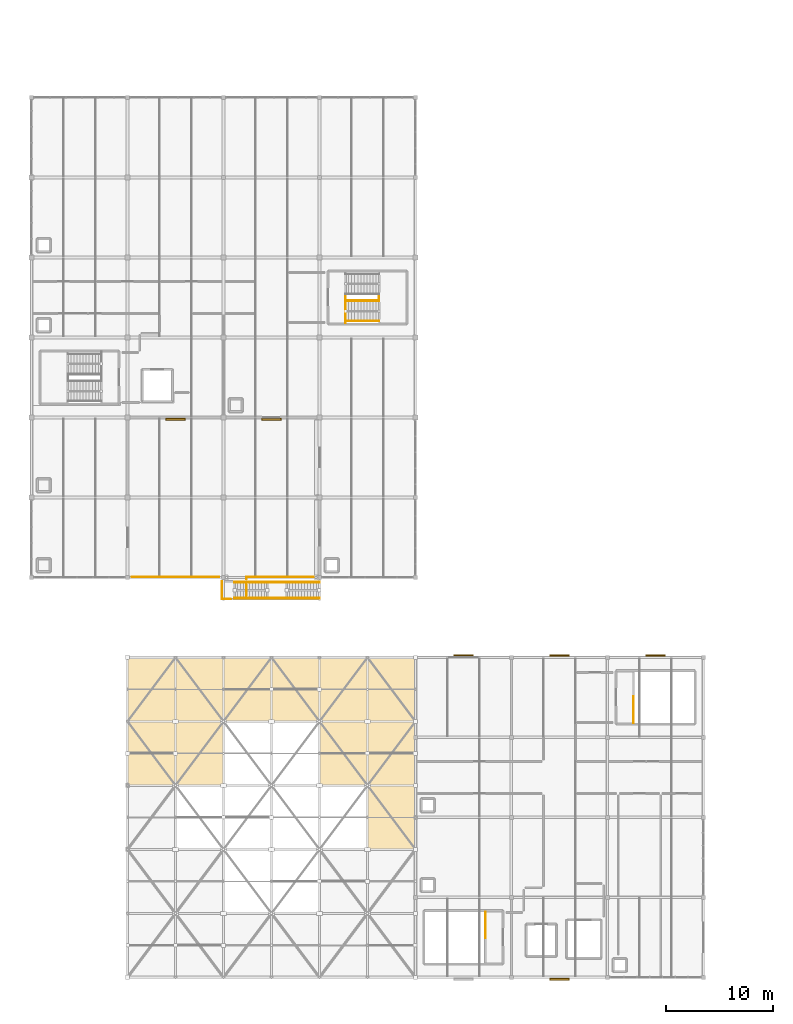
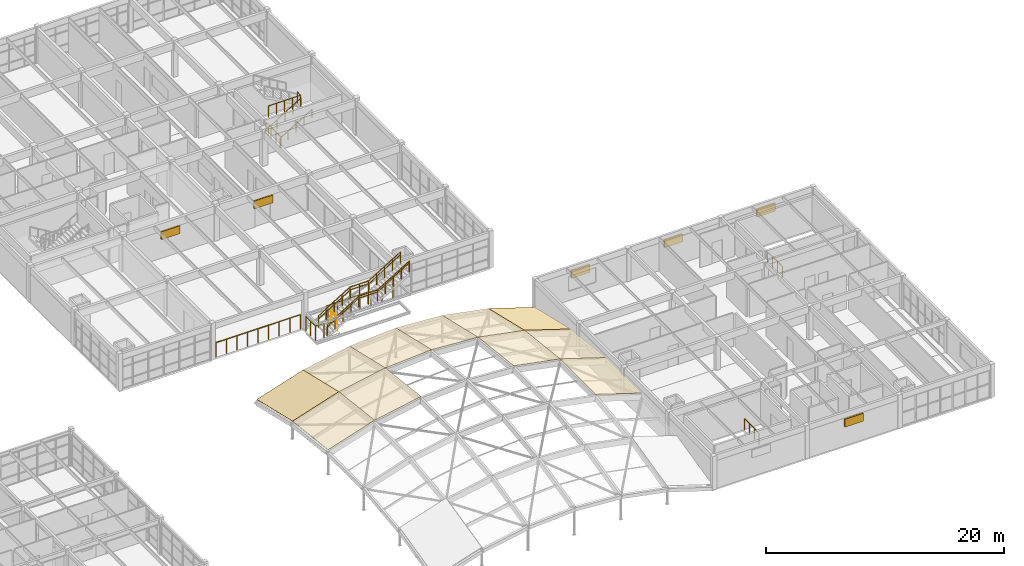
# One storey, part 80 of 81: 14 railings, 11 coverings, 6 shading devices.
"""IFC4 building model written with IfcOpenShell, lengths in metres."""

import ifcopenshell
import ifcopenshell.guid

model = None  # the IFC model being written
_history = None  # IfcOwnerHistory: only IFC2X3 demands one
_inside = {}  # id of a spatial element -> (the spatial element, [elements in it])
_under = {}  # id of a project, library or spatial element -> (it, [spatial elements below it])
_declared = {}  # id of a project -> (the project, [libraries it declares])
_typed = {}  # id of a type object -> (the type object, [elements of that type])
_made_of = {}  # id of a material, layer set ... -> (it, [elements and type objects made of it])


def new_model(schema):
    """Start an empty IFC model of exactly this schema.

    Asked for "IFC4X3", IfcOpenShell would pick the latest addendum, in which some entities
    have other attributes; the version numbers below select the first issue.
    IFC2X3 requires an IfcOwnerHistory on every rooted entity: one is made here for all.
    """
    global model, _history
    if schema == "IFC4X3":
        model = ifcopenshell.file(schema_version=(4, 3, 0, 0))
    else:
        model = ifcopenshell.file(schema=schema)
    _inside.clear()
    _under.clear()
    _declared.clear()
    _typed.clear()
    _made_of.clear()
    _history = None
    if model.schema == "IFC2X3":
        org = make("IfcOrganization", Name="unknown")
        user = make(
            "IfcPersonAndOrganization",
            ThePerson=make("IfcPerson", FamilyName="unknown"),
            TheOrganization=org,
        )
        app = make(
            "IfcApplication",
            ApplicationDeveloper=org,
            Version="unknown",
            ApplicationFullName="unknown",
            ApplicationIdentifier="unknown",
        )
        _history = make(
            "IfcOwnerHistory",
            OwningUser=user,
            OwningApplication=app,
            ChangeAction="ADDED",
            CreationDate=0,
        )
    return model


def make(cls, **values):
    """One entity of the class cls with the attributes given. An attribute that is None is left unset."""
    return model.create_entity(
        cls, **{name: value for name, value in values.items() if value is not None}
    )


def rooted(cls, **values):
    """An entity with a GlobalId (a new one), such as an element, a storey or a relation."""
    return make(cls, GlobalId=ifcopenshell.guid.new(), OwnerHistory=_history, **values)


def si_unit(unit_type, name, prefix=None):
    """IfcSIUnit, for example si_unit("LENGTHUNIT", "METRE", prefix="MILLI")."""
    return make("IfcSIUnit", UnitType=unit_type, Prefix=prefix, Name=name)


def assignment(units):
    """IfcUnitAssignment: the units of a project."""
    return None if units is None else make("IfcUnitAssignment", Units=units)


def point(xyz):
    """IfcCartesianPoint."""
    return None if xyz is None else make("IfcCartesianPoint", Coordinates=xyz)


def direction(xyz):
    """IfcDirection."""
    return None if xyz is None else make("IfcDirection", DirectionRatios=xyz)


def frame(location, z_axis=None, x_axis=None):
    """IfcAxis2Placement3D, a coordinate frame: its origin and axes. An axis left out is left unset."""
    return make(
        "IfcAxis2Placement3D",
        Location=point(location),
        Axis=direction(z_axis),
        RefDirection=direction(x_axis),
    )


def frame_2d(location, x_axis=None):
    """IfcAxis2Placement2D, a coordinate frame in the plane: its origin and x axis."""
    return make(
        "IfcAxis2Placement2D", Location=point(location), RefDirection=direction(x_axis)
    )


def origin():
    """The frame at (0, 0, 0) with its axes left unset."""
    return frame((0.0, 0.0, 0.0))


def origin_2d():
    """The frame at (0, 0) in the plane with its x axis left unset."""
    return frame_2d((0.0, 0.0))


def place(relative_to, where):
    """IfcLocalPlacement: puts the frame where relative to a parent placement (None: the world)."""
    return make(
        "IfcLocalPlacement", PlacementRelTo=relative_to, RelativePlacement=where
    )


def context(
    kind, dimensions, precision=None, world=None, true_north=None, identifier=None
):
    """IfcGeometricRepresentationContext, for example the 3D "Model" context."""
    return make(
        "IfcGeometricRepresentationContext",
        ContextIdentifier=identifier,
        ContextType=kind,
        CoordinateSpaceDimension=dimensions,
        Precision=precision,
        WorldCoordinateSystem=world,
        TrueNorth=true_north,
    )


def subcontext(parent, identifier, kind, view, scale=None):
    """IfcGeometricRepresentationSubContext, for example "Body" below "Model"."""
    return make(
        "IfcGeometricRepresentationSubContext",
        ContextIdentifier=identifier,
        ContextType=kind,
        ParentContext=parent,
        TargetScale=scale,
        TargetView=view,
    )


def project(units=None, contexts=None):
    """IfcProject with its units and contexts."""
    return rooted(
        "IfcProject",
        Name="project",
        RepresentationContexts=contexts,
        UnitsInContext=assignment(units),
    )


def spatial(cls, under=None, at=None, **own):
    """A site, building, storey or space (cls), placed at a placement, below another one or the project."""
    s = rooted(cls, ObjectPlacement=at, **own)
    if under is not None:
        _under.setdefault(under.id(), (under, []))[1].append(s)
    return s


def polyline(points):
    """IfcPolyline through the points."""
    return make("IfcPolyline", Points=[point(p) for p in points])


def profile(cls, at=None, kind="AREA", **sizes):
    """A parametric profile (cls). Its sizes go by their IFC names, for example OverallWidth=200.0."""
    return make(cls, ProfileType=kind, Position=at, **sizes)


def rectangle(**sizes):
    """IfcRectangleProfileDef."""
    return profile("IfcRectangleProfileDef", **sizes)


def circle(**sizes):
    """IfcCircleProfileDef."""
    return profile("IfcCircleProfileDef", **sizes)


def outline(outer, holes=None, kind="AREA"):
    """IfcArbitraryClosedProfileDef: a profile drawn as a closed curve; with holes, ...WithVoids."""
    if holes is None:
        return make("IfcArbitraryClosedProfileDef", ProfileType=kind, OuterCurve=outer)
    return make(
        "IfcArbitraryProfileDefWithVoids",
        ProfileType=kind,
        OuterCurve=outer,
        InnerCurves=holes,
    )


def extrude(swept, where, along, depth):
    """IfcExtrudedAreaSolid: the profile swept, set in the frame where, extruded along a direction by depth."""
    return make(
        "IfcExtrudedAreaSolid",
        SweptArea=swept,
        Position=where,
        ExtrudedDirection=direction(along),
        Depth=depth,
    )


def shape(context_of_items, identifier, shape_type, items):
    """IfcShapeRepresentation: the items that make up one representation, for example the "Body"."""
    return make(
        "IfcShapeRepresentation",
        ContextOfItems=context_of_items,
        RepresentationIdentifier=identifier,
        RepresentationType=shape_type,
        Items=items,
    )


def material(Name=None, Category=None):
    """IfcMaterial."""
    return make("IfcMaterial", Name=Name, Category=Category)


def layer(
    of_material, thickness, ventilated=None, Name=None, Category=None, Priority=None
):
    """IfcMaterialLayer: one layer of a wall or slab, of a material (None: an air gap)."""
    return make(
        "IfcMaterialLayer",
        Material=of_material,
        LayerThickness=thickness,
        IsVentilated=ventilated,
        Name=Name,
        Category=Category,
        Priority=Priority,
    )


def layer_set(layers, Name=None):
    """IfcMaterialLayerSet."""
    return make("IfcMaterialLayerSet", MaterialLayers=layers, LayerSetName=Name)


def made_of(thing, what):
    """Note that an element or type object is made of a material, layer set ...; save() writes the relation."""
    if what is not None:
        _made_of.setdefault(what.id(), (what, []))[1].append(thing)
    return thing


def type_object(cls, material=None, **own):
    """A type object (cls), such as IfcWallType, which elements share."""
    return made_of(rooted(cls, **own), material)


def element(
    cls,
    number,
    at=None,
    inside=None,
    cuts=None,
    type_object=None,
    material=None,
    context=None,
    identifier="Body",
    shape_type=None,
    held_by="IfcProductDefinitionShape",
    body=None,
    shapes=None,
    **own,
):
    """One element of the class cls, such as IfcWall. Its Tag is "e" and its number.

    at: its placement. inside: the storey or other place that contains it. cuts: it is an
    opening in that element (IfcRelVoidsElement). A single representation is given by context,
    identifier, shape_type and body (its items); several are given by shapes. held_by: the class
    of the entity that holds the representations. save() writes the other relations.
    """
    e = rooted(cls, Tag="e%d" % number, ObjectPlacement=at, **own)
    if body is not None:
        shapes = [shape(context, identifier, shape_type, body)]
    if shapes is not None:
        e.Representation = make(held_by, Representations=shapes)
    if inside is not None:
        _inside.setdefault(inside.id(), (inside, []))[1].append(e)
    if cuts is not None:
        rooted(
            "IfcRelVoidsElement", RelatingBuildingElement=cuts, RelatedOpeningElement=e
        )
    if type_object is not None:
        _typed.setdefault(type_object.id(), (type_object, []))[1].append(e)
    return made_of(e, material)


def aggregate(whole, parts):
    """IfcRelAggregates: a whole, such as a stair, and the parts it consists of."""
    return rooted("IfcRelAggregates", RelatingObject=whole, RelatedObjects=parts)


def save(model, path):
    """Write the relations noted so far, then the file.

    IfcRelAggregates (storeys below a building ...), IfcRelContainedInSpatialStructure (elements
    in a storey), IfcRelDefinesByType, IfcRelAssociatesMaterial and IfcRelDeclares: one each for
    every whole, place, type object, material and project.
    """
    for whole, parts in _under.values():
        aggregate(whole, parts)
    for where, things in _inside.values():
        rooted(
            "IfcRelContainedInSpatialStructure",
            RelatedElements=things,
            RelatingStructure=where,
        )
    for kind, things in _typed.values():
        rooted("IfcRelDefinesByType", RelatedObjects=things, RelatingType=kind)
    for what, things in _made_of.values():
        rooted("IfcRelAssociatesMaterial", RelatedObjects=things, RelatingMaterial=what)
    for by, libraries in _declared.values():
        rooted("IfcRelDeclares", RelatingContext=by, RelatedDefinitions=libraries)
    model.write(path)


model = new_model("IFC4")

# Units and contexts
model_context = context("Model", 3, precision=1e-05, world=origin(), true_north=direction((0.0, 1.0)))
body_context = subcontext(model_context, "Body", "Model", "MODEL_VIEW")
ifc_project = project(units=[si_unit("LENGTHUNIT", "METRE"), si_unit("AREAUNIT", "SQUARE_METRE"), si_unit("VOLUMEUNIT", "CUBIC_METRE"), si_unit("PLANEANGLEUNIT", "RADIAN"), si_unit("MASSUNIT", "GRAM", prefix="KILO")], contexts=[model_context])

# Site, building, storey
site_placement = place(None, origin())
site = spatial("IfcSite", under=ifc_project, at=site_placement, CompositionType="ELEMENT")
building_placement = place(site_placement, origin())
building = spatial("IfcBuilding", under=site, at=building_placement, Name="Marnridge Secondary College", CompositionType="ELEMENT")
storey_placement = place(building_placement, frame((0.0, 0.0, 8.5)))
storey = spatial("IfcBuildingStorey", under=building, at=storey_placement, Name="L02", CompositionType="ELEMENT", Elevation=8.5)

# Coverings
ifc_material_1 = material(Name="Pre-weathered standing-seam zinc roofing", Category="steel")
ifc_layer = layer(ifc_material_1, 0.044921875)
ifc_layer_set = layer_set([ifc_layer], Name="CV-ROOF-ZINC")
covering_type = type_object("IfcCoveringType", Name="CV-ROOF-ZINC", PredefinedType="ROOFING", material=ifc_layer_set)
covering_1_placement = place(storey_placement, frame((63.0, 18.0, 2.494384765625), z_axis=(-0.303741720179, 0.111025004243, 0.946263396659), x_axis=(0.952149863264, -2.713515e-06, 0.305631539405)))
element("IfcCovering", 1, at=covering_1_placement, inside=storey, type_object=covering_type, Name="Standing-seam zinc roof panel CVR-V3-0104", PredefinedType="ROOFING", context=body_context, shape_type="SweptSolid", body=[
    extrude(outline(polyline([(0.0, 0.0), (4.726183617758933, 2.7755575615628914e-17), (4.510971692221479, 6.037337395249555), (-0.2151373084624038, 6.037311586748969), (0.0, 0.0)])), origin(), (0.0, 0.0, -1.0), 0.044921875),
])
covering_2_placement = place(storey_placement, frame((63.0, 24.0, 1.79052734375), z_axis=(-0.298253735682, 0.218056452038, 0.929244904681), x_axis=(0.952157472021, 0.0, 0.305607834444)))
element("IfcCovering", 2, at=covering_2_placement, inside=storey, type_object=covering_type, Name="Standing-seam zinc roof panel CVR-V3-0105", PredefinedType="ROOFING", context=body_context, shape_type="SweptSolid", body=[
    extrude(outline(polyline([(0.0, 0.0), (4.726109002165947, 5.551115123125783e-17), (4.295825705964602, 6.147943134633923), (-0.43028329620134503, 6.147943134633923), (0.0, 0.0)])), origin(), (0.0, 0.0, -1.0), 0.044921875),
])
covering_3_placement = place(storey_placement, frame((67.5, 18.0, 3.93896484375), z_axis=(-0.187880742118, 0.11447494231, 0.975497982737), x_axis=(0.981953209644, 0.0, 0.189124017699)))
element("IfcCovering", 3, at=covering_3_placement, inside=storey, type_object=covering_type, Name="Standing-seam zinc roof panel CVR-V3-0204", PredefinedType="ROOFING", context=body_context, shape_type="SweptSolid", body=[
    extrude(outline(polyline([(0.0, 0.0), (4.5827030817828325, 0.0), (4.449540565414436, 6.039704194292084), (-0.13316251636839585, 6.039704194292084), (0.0, 0.0)])), origin(), (0.0, 0.0, -1.0), 0.044921875),
])
covering_4_placement = place(storey_placement, frame((67.5, 24.0, 3.23486328125), z_axis=(-0.1842946687, 0.224540990364, 0.956878685485), x_axis=(0.981953209644, 0.0, 0.189124017699)))
element("IfcCovering", 4, at=covering_4_placement, inside=storey, type_object=covering_type, Name="Standing-seam zinc roof panel CVR-V3-0205", PredefinedType="ROOFING", context=body_context, shape_type="SweptSolid", body=[
    extrude(outline(polyline([(0.0, 0.0), (4.5827030817828325, 2.7755575615628914e-17), (4.316424221901924, 6.157226978962431), (-0.2662788598809081, 6.15722697896243), (0.0, 0.0)])), origin(), (0.0, 0.0, -1.0), 0.044921875),
])
covering_5_placement = place(storey_placement, frame((72.0, 24.0, 4.1015625), z_axis=(-0.062362923311, 0.228009496238, 0.971659680866), x_axis=(0.997946686081, 0.0, 0.064050072137)))
element("IfcCovering", 5, at=covering_5_placement, inside=storey, type_object=covering_type, Name="Standing-seam zinc roof panel CVR-V3-0305", PredefinedType="ROOFING", context=body_context, shape_type="SweptSolid", body=[
    extrude(outline(polyline([(0.0, 0.0), (4.5092589241151435, 1.3877787807814457e-17), (4.419079049599671, 6.16232229698469), (-0.09017987451547263, 6.162322296984689), (0.0, 0.0)])), origin(), (0.0, 0.0, -1.0), 0.044921875),
])
covering_6_placement = place(storey_placement, frame((76.5, 24.0, 4.390380859375), z_axis=(0.062362923311, 0.228009496238, 0.971659680866), x_axis=(0.997946686081, 0.0, -0.064050072137)))
element("IfcCovering", 6, at=covering_6_placement, inside=storey, type_object=covering_type, Name="Standing-seam zinc roof panel CVR-V3-0405", PredefinedType="ROOFING", context=body_context, shape_type="SweptSolid", body=[
    extrude(outline(polyline([(0.0, 0.0), (4.5092589241151435, -1.3877787807814457e-17), (4.599438798630617, 6.162322296984689), (0.09017987451547263, 6.162322296984689), (0.0, 0.0)])), origin(), (0.0, 0.0, -1.0), 0.044921875),
])
covering_7_placement = place(storey_placement, frame((81.0, 18.0, 4.8056640625), z_axis=(0.187880742118, 0.11447494231, 0.975497982737), x_axis=(0.981953209644, 0.0, -0.189124017699)))
element("IfcCovering", 7, at=covering_7_placement, inside=storey, type_object=covering_type, Name="Standing-seam zinc roof panel CVR-V3-0504", PredefinedType="ROOFING", context=body_context, shape_type="SweptSolid", body=[
    extrude(outline(polyline([(0.0, 0.0), (4.5827030817828325, 0.0), (4.715865598151228, 6.039704194292084), (0.13316251636839585, 6.039704194292084), (0.0, 0.0)])), origin(), (0.0, 0.0, -1.0), 0.044921875),
])
covering_8_placement = place(storey_placement, frame((81.0, 24.0, 4.1015625), z_axis=(0.1842946687, 0.224540990364, 0.956878685485), x_axis=(0.981953209644, 0.0, -0.189124017699)))
element("IfcCovering", 8, at=covering_8_placement, inside=storey, type_object=covering_type, Name="Standing-seam zinc roof panel CVR-V3-0505", PredefinedType="ROOFING", context=body_context, shape_type="SweptSolid", body=[
    extrude(outline(polyline([(0.0, 0.0), (4.5827030817828325, -2.7755575615628914e-17), (4.84898194166374, 6.15722697896243), (0.2662788598809081, 6.15722697896243), (0.0, 0.0)])), origin(), (0.0, 0.0, -1.0), 0.044921875),
])
covering_9_placement = place(storey_placement, frame((85.5, 12.0, 3.93896484375), z_axis=(0.30565466654, 0.0, 0.952142439356), x_axis=(0.952142439356, 0.0, -0.30565466654)))
element("IfcCovering", 9, at=covering_9_placement, inside=storey, type_object=covering_type, Name="Standing-seam zinc roof panel CVR-V3-0603", PredefinedType="ROOFING", context=body_context, shape_type="SweptSolid", body=[
    extrude(outline(polyline([(0.0, 0.0), (4.726183619170507, 0.0), (4.726183619170507, 6.0), (0.0, 6.0), (0.0, 0.0)])), origin(), (0.0, 0.0, -1.0), 0.044921875),
])
covering_10_placement = place(storey_placement, frame((85.5, 18.0, 3.93896484375), z_axis=(0.303741720179, 0.111025004243, 0.946263396659), x_axis=(0.952149863264, 2.713515e-06, -0.305631539405)))
element("IfcCovering", 10, at=covering_10_placement, inside=storey, type_object=covering_type, Name="Standing-seam zinc roof panel CVR-V3-0604", PredefinedType="ROOFING", context=body_context, shape_type="SweptSolid", body=[
    extrude(outline(polyline([(0.0, 0.0), (4.726183617758933, -2.7755575615628914e-17), (4.941320926221336, 6.037311586748969), (0.2152119255374539, 6.037337395249555), (0.0, 0.0)])), origin(), (0.0, 0.0, -1.0), 0.044921875),
])
covering_11_placement = place(storey_placement, frame((85.5, 24.0, 3.23486328125), z_axis=(0.298253735682, 0.218056452038, 0.929244904681), x_axis=(0.952157472021, 0.0, -0.305607834444)))
element("IfcCovering", 11, at=covering_11_placement, inside=storey, type_object=covering_type, Name="Standing-seam zinc roof panel CVR-V3-0605", PredefinedType="ROOFING", context=body_context, shape_type="SweptSolid", body=[
    extrude(outline(polyline([(0.0, 0.0), (4.726109002165947, -5.551115123125783e-17), (5.156392298367292, 6.147943134633922), (0.43028329620134503, 6.147943134633923), (0.0, 0.0)])), origin(), (0.0, 0.0, -1.0), 0.044921875),
])

# Railings
ifc_material_2 = material(Name="Galvanised steel Grade C350L0 (350 MPa) balustrade", Category="steel")
railing_type_1 = type_object("IfcRailingType", Name="RL-DECK-1500", PredefinedType="BALUSTRADE", material=ifc_material_2)
railing_1_placement = place(storey_placement, frame((71.584716796875, 37.56005859375, 0.0)))
element("IfcRailing", 12, at=railing_1_placement, inside=storey, type_object=railing_type_1, Name="Play deck balustrade GD-001", PredefinedType="BALUSTRADE", context=body_context, shape_type="SweptSolid", body=[
    extrude(circle(Radius=0.02392578125, at=origin_2d()), frame((0.0, 0.0, 1.47607421875), z_axis=(-1.0, 0.0, 0.0), x_axis=(0.0, -1.0, 0.0)), (0.0, 0.0, 1.0), 8.16943359375),
    extrude(circle(Radius=0.02099609375, at=origin_2d()), origin(), (0.0, 0.0, 1.0), 1.451904296875),
    extrude(circle(Radius=0.02099609375, at=origin_2d()), frame((-1.021240234375, 0.0, 0.0)), (0.0, 0.0, 1.0), 1.451904296875),
    extrude(circle(Radius=0.02099609375, at=origin_2d()), frame((-2.04248046875, 0.0, 0.0)), (0.0, 0.0, 1.0), 1.451904296875),
    extrude(circle(Radius=0.02099609375, at=origin_2d()), frame((-3.0634765625, 0.0, 0.0)), (0.0, 0.0, 1.0), 1.451904296875),
    extrude(circle(Radius=0.02099609375, at=origin_2d()), frame((-4.084716796875, 0.0, 0.0)), (0.0, 0.0, 1.0), 1.451904296875),
    extrude(circle(Radius=0.02099609375, at=origin_2d()), frame((-5.10595703125, 0.0, 0.0)), (0.0, 0.0, 1.0), 1.451904296875),
    extrude(circle(Radius=0.02099609375, at=origin_2d()), frame((-6.126953125, 0.0, 0.0)), (0.0, 0.0, 1.0), 1.451904296875),
    extrude(circle(Radius=0.02099609375, at=origin_2d()), frame((-7.148193359375, 0.0, 0.0)), (0.0, 0.0, 1.0), 1.451904296875),
    extrude(circle(Radius=0.02099609375, at=origin_2d()), frame((-8.16943359375, 0.0, 0.0)), (0.0, 0.0, 1.0), 1.451904296875),
])
railing_2_placement = place(storey_placement, frame((72.68994140625, 35.4599609375, 0.0)))
element("IfcRailing", 13, at=railing_2_placement, inside=storey, type_object=railing_type_1, Name="Play deck balustrade GD-002", PredefinedType="BALUSTRADE", context=body_context, shape_type="SweptSolid", body=[
    extrude(circle(Radius=0.02392578125, at=origin_2d()), frame((0.0, 0.0, 1.47607421875), z_axis=(-1.0, 0.0, 0.0), x_axis=(0.0, -1.0, 0.0)), (0.0, 0.0, 1.0), 0.829833984375),
    extrude(circle(Radius=0.02392578125, at=origin_2d()), frame((-0.829833984375, 0.0, 1.47607421875), z_axis=(0.0, 1.0, 0.0), x_axis=(-1.0, 0.0, 0.0)), (0.0, 0.0, 1.0), 1.64453125),
    extrude(circle(Radius=0.02099609375, at=origin_2d()), origin(), (0.0, 0.0, 1.0), 1.451904296875),
    extrude(circle(Radius=0.02099609375, at=origin_2d()), frame((-0.829833984375, 0.0, 0.0)), (0.0, 0.0, 1.0), 1.451904296875),
    extrude(circle(Radius=0.02099609375, at=origin_2d()), frame((-0.829833984375, 0.822265625, 0.0)), (0.0, 0.0, 1.0), 1.451904296875),
    extrude(circle(Radius=0.02099609375, at=origin_2d()), frame((-0.829833984375, 1.64453125, 0.0)), (0.0, 0.0, 1.0), 1.451904296875),
])
railing_3_placement = place(storey_placement, frame((74.139892578125, 36.780029296875, 0.0)))
element("IfcRailing", 14, at=railing_3_placement, inside=storey, type_object=railing_type_1, Name="Play deck balustrade GD-003", PredefinedType="BALUSTRADE", context=body_context, shape_type="SweptSolid", body=[
    extrude(circle(Radius=0.02392578125, at=origin_2d()), frame((0.0, 0.0, 1.47607421875), z_axis=(0.0, -1.0, 0.0), x_axis=(1.0, 0.0, 0.0)), (0.0, 0.0, 1.0), 0.9599609375),
    extrude(circle(Radius=0.02099609375, at=origin_2d()), origin(), (0.0, 0.0, 1.0), 1.451904296875),
    extrude(circle(Radius=0.02099609375, at=origin_2d()), frame((0.0, -0.9599609375, 0.0)), (0.0, 0.0, 1.0), 1.451904296875),
])
railing_4_placement = place(storey_placement, frame((80.584716796875, 37.56005859375, 0.0)))
element("IfcRailing", 15, at=railing_4_placement, inside=storey, type_object=railing_type_1, Name="Play deck balustrade GD-004", PredefinedType="BALUSTRADE", context=body_context, shape_type="SweptSolid", body=[
    extrude(circle(Radius=0.02392578125, at=origin_2d()), frame((0.0, 0.0, 1.47607421875), z_axis=(-1.0, 0.0, 0.0), x_axis=(0.0, -1.0, 0.0)), (0.0, 0.0, 1.0), 6.44482421875),
    extrude(circle(Radius=0.02392578125, at=origin_2d()), frame((-6.44482421875, 0.0, 1.47607421875), z_axis=(0.0, -1.0, 0.0), x_axis=(1.0, 0.0, 0.0)), (0.0, 0.0, 1.0), 0.219970703125),
    extrude(circle(Radius=0.02099609375, at=origin_2d()), origin(), (0.0, 0.0, 1.0), 1.451904296875),
    extrude(circle(Radius=0.02099609375, at=origin_2d()), frame((-1.07421875, 0.0, 0.0)), (0.0, 0.0, 1.0), 1.451904296875),
    extrude(circle(Radius=0.02099609375, at=origin_2d()), frame((-2.148193359375, 0.0, 0.0)), (0.0, 0.0, 1.0), 1.451904296875),
    extrude(circle(Radius=0.02099609375, at=origin_2d()), frame((-3.222412109375, 0.0, 0.0)), (0.0, 0.0, 1.0), 1.451904296875),
    extrude(circle(Radius=0.02099609375, at=origin_2d()), frame((-4.296630859375, 0.0, 0.0)), (0.0, 0.0, 1.0), 1.451904296875),
    extrude(circle(Radius=0.02099609375, at=origin_2d()), frame((-5.37060546875, 0.0, 0.0)), (0.0, 0.0, 1.0), 1.451904296875),
    extrude(circle(Radius=0.02099609375, at=origin_2d()), frame((-6.44482421875, 0.0, 0.0)), (0.0, 0.0, 1.0), 1.451904296875),
    extrude(circle(Radius=0.02099609375, at=origin_2d()), frame((-6.44482421875, -0.219970703125, 0.0)), (0.0, 0.0, 1.0), 1.451904296875),
])
ifc_material_3 = material(Name="Stainless steel Grade 350 (350 MPa) 48 mm handrail", Category="steel")
railing_type_2 = type_object("IfcRailingType", Name="RL-HND-900", PredefinedType="HANDRAIL", material=ifc_material_3)
for number, where, name in (
    (16, (83.449951171875, 61.530029296875, 0.0), "Stair handrail HR-043"),
    (17, (83.449951171875, 63.409912109375, 0.0), "Stair handrail HR-044"),
):
    element("IfcRailing", number, at=place(storey_placement, frame(where)), inside=storey, type_object=railing_type_2, Name=name, PredefinedType="HANDRAIL", context=body_context, shape_type="SweptSolid", body=[
        extrude(circle(Radius=0.02392578125, at=origin_2d()), frame((0.0, 0.0, 0.8759765625), z_axis=(0.855210355142, 0.0, 0.518281051609), x_axis=(0.0, 1.0, 0.0)), (0.0, 0.0, 1.0), 3.665771484375),
        extrude(circle(Radius=0.02099609375, at=origin_2d()), origin(), (0.0, 0.0, 1.0), 0.851806640625),
        extrude(circle(Radius=0.02099609375, at=origin_2d()), frame((0.78369140625, 0.0, 0.47509765625)), (0.0, 0.0, 1.0), 0.851806640625),
        extrude(circle(Radius=0.02099609375, at=origin_2d()), frame((1.5673828125, 0.0, 0.949951171875)), (0.0, 0.0, 1.0), 0.851806640625),
        extrude(circle(Radius=0.02099609375, at=origin_2d()), frame((2.351318359375, 0.0, 1.4248046875)), (0.0, 0.0, 1.0), 0.851806640625),
        extrude(circle(Radius=0.02099609375, at=origin_2d()), frame((3.135009765625, 0.0, 1.89990234375)), (0.0, 0.0, 1.0), 0.851806640625),
    ])
ifc_material_4 = material(Name="Galvanised steel Grade 350 (350 MPa) 48 mm handrail", Category="steel")
railing_type_3 = type_object("IfcRailingType", Name="RL-HND-EXT900", PredefinedType="HANDRAIL", material=ifc_material_4)
railing_5_placement = place(storey_placement, frame((73.0400390625, 35.590087890625, 0.0)))
element("IfcRailing", 18, at=railing_5_placement, inside=storey, type_object=railing_type_3, Name="Exterior stair handrail HR-183", PredefinedType="HANDRAIL", context=body_context, shape_type="SweptSolid", body=[
    extrude(circle(Radius=0.02392578125, at=origin_2d()), frame((0.0, 0.0, 0.8759765625), z_axis=(0.851106564228, 0.0, 0.524992967884), x_axis=(0.0, 1.0, 0.0)), (0.0, 0.0, 1.0), 3.618896484375),
    extrude(circle(Radius=0.02392578125, at=origin_2d()), frame((3.080078125, 0.0, 2.77587890625), z_axis=(1.0, 0.0, 0.0), x_axis=(0.0, 1.0, 0.0)), (0.0, 0.0, 1.0), 1.7998046875),
    extrude(circle(Radius=0.02392578125, at=origin_2d()), frame((4.8798828125, 0.0, 2.77587890625), z_axis=(0.851076419976, 0.0, 0.525041833915), x_axis=(0.0, 1.0, 0.0)), (0.0, 0.0, 1.0), 3.619140625),
    extrude(circle(Radius=0.02099609375, at=origin_2d()), origin(), (0.0, 0.0, 1.0), 0.851806640625),
    extrude(circle(Radius=0.02099609375, at=origin_2d()), frame((0.77001953125, 0.0, 0.47509765625)), (0.0, 0.0, 1.0), 0.851806640625),
    extrude(circle(Radius=0.02099609375, at=origin_2d()), frame((1.5400390625, 0.0, 0.949951171875)), (0.0, 0.0, 1.0), 0.851806640625),
    extrude(circle(Radius=0.02099609375, at=origin_2d()), frame((2.31005859375, 0.0, 1.4248046875)), (0.0, 0.0, 1.0), 0.851806640625),
    extrude(circle(Radius=0.02099609375, at=origin_2d()), frame((3.080078125, 0.0, 1.89990234375)), (0.0, 0.0, 1.0), 0.851806640625),
    extrude(circle(Radius=0.02099609375, at=origin_2d()), frame((3.97998046875, 0.0, 1.89990234375)), (0.0, 0.0, 1.0), 0.851806640625),
    extrude(circle(Radius=0.02099609375, at=origin_2d()), frame((4.8798828125, 0.0, 1.89990234375)), (0.0, 0.0, 1.0), 0.851806640625),
    extrude(circle(Radius=0.02099609375, at=origin_2d()), frame((5.64990234375, 0.0, 2.375)), (0.0, 0.0, 1.0), 0.851806640625),
    extrude(circle(Radius=0.02099609375, at=origin_2d()), frame((6.419921875, 0.0, 2.85009765625)), (0.0, 0.0, 1.0), 0.851806640625),
    extrude(circle(Radius=0.02099609375, at=origin_2d()), frame((7.18994140625, 0.0, 3.324951171875)), (0.0, 0.0, 1.0), 0.851806640625),
    extrude(circle(Radius=0.02099609375, at=origin_2d()), frame((7.9599609375, 0.0, 3.800048828125)), (0.0, 0.0, 1.0), 0.851806640625),
])
railing_6_placement = place(storey_placement, frame((73.0400390625, 37.010009765625, 0.0)))
element("IfcRailing", 19, at=railing_6_placement, inside=storey, type_object=railing_type_3, Name="Exterior stair handrail HR-184", PredefinedType="HANDRAIL", context=body_context, shape_type="SweptSolid", body=[
    extrude(circle(Radius=0.02392578125, at=origin_2d()), frame((0.0, 0.0, 0.8759765625), z_axis=(0.851106564228, 0.0, 0.524992967884), x_axis=(0.0, 1.0, 0.0)), (0.0, 0.0, 1.0), 3.618896484375),
    extrude(circle(Radius=0.02392578125, at=origin_2d()), frame((3.080078125, 0.0, 2.77587890625), z_axis=(1.0, 0.0, 0.0), x_axis=(0.0, 1.0, 0.0)), (0.0, 0.0, 1.0), 1.7998046875),
    extrude(circle(Radius=0.02392578125, at=origin_2d()), frame((4.8798828125, 0.0, 2.77587890625), z_axis=(0.851076419976, 0.0, 0.525041833915), x_axis=(0.0, 1.0, 0.0)), (0.0, 0.0, 1.0), 3.619140625),
    extrude(circle(Radius=0.02099609375, at=origin_2d()), origin(), (0.0, 0.0, 1.0), 0.851806640625),
    extrude(circle(Radius=0.02099609375, at=origin_2d()), frame((0.77001953125, 0.0, 0.47509765625)), (0.0, 0.0, 1.0), 0.851806640625),
    extrude(circle(Radius=0.02099609375, at=origin_2d()), frame((1.5400390625, 0.0, 0.949951171875)), (0.0, 0.0, 1.0), 0.851806640625),
    extrude(circle(Radius=0.02099609375, at=origin_2d()), frame((2.31005859375, 0.0, 1.4248046875)), (0.0, 0.0, 1.0), 0.851806640625),
    extrude(circle(Radius=0.02099609375, at=origin_2d()), frame((3.080078125, 0.0, 1.89990234375)), (0.0, 0.0, 1.0), 0.851806640625),
    extrude(circle(Radius=0.02099609375, at=origin_2d()), frame((3.97998046875, 0.0, 1.89990234375)), (0.0, 0.0, 1.0), 0.851806640625),
    extrude(circle(Radius=0.02099609375, at=origin_2d()), frame((4.8798828125, 0.0, 1.89990234375)), (0.0, 0.0, 1.0), 0.851806640625),
    extrude(circle(Radius=0.02099609375, at=origin_2d()), frame((5.64990234375, 0.0, 2.375)), (0.0, 0.0, 1.0), 0.851806640625),
    extrude(circle(Radius=0.02099609375, at=origin_2d()), frame((6.419921875, 0.0, 2.85009765625)), (0.0, 0.0, 1.0), 0.851806640625),
    extrude(circle(Radius=0.02099609375, at=origin_2d()), frame((7.18994140625, 0.0, 3.324951171875)), (0.0, 0.0, 1.0), 0.851806640625),
    extrude(circle(Radius=0.02099609375, at=origin_2d()), frame((7.9599609375, 0.0, 3.800048828125)), (0.0, 0.0, 1.0), 0.851806640625),
])
ifc_material_5 = material(Name="Painted steel Grade C350L0 (350 MPa) stair-well guard", Category="steel")
railing_type_4 = type_object("IfcRailingType", Name="RL-STAIR-1150", PredefinedType="BALUSTRADE", material=ifc_material_5)
railing_7_placement = place(storey_placement, frame((83.449951171875, 61.3701171875, 0.0)))
element("IfcRailing", 20, at=railing_7_placement, inside=storey, type_object=railing_type_4, Name="Stair well arrival guard GS-042", PredefinedType="BALUSTRADE", context=body_context, shape_type="SweptSolid", body=[
    extrude(circle(Radius=0.02392578125, at=origin_2d()), frame((0.0, 0.0, 1.1259765625), z_axis=(0.0, 1.0, 0.0), x_axis=(-1.0, 0.0, 0.0)), (0.0, 0.0, 1.0), 2.4599609375),
    extrude(circle(Radius=0.02099609375, at=origin_2d()), origin(), (0.0, 0.0, 1.0), 1.101806640625),
    extrude(circle(Radius=0.02099609375, at=origin_2d()), frame((0.0, 0.820068359375, 0.0)), (0.0, 0.0, 1.0), 1.101806640625),
    extrude(circle(Radius=0.02099609375, at=origin_2d()), frame((0.0, 1.639892578125, 0.0)), (0.0, 0.0, 1.0), 1.101806640625),
    extrude(circle(Radius=0.02099609375, at=origin_2d()), frame((0.0, 2.4599609375, 0.0)), (0.0, 0.0, 1.0), 1.101806640625),
])
railing_8_placement = place(storey_placement, frame((83.449951171875, 63.469970703125, 1.89990234375)))
element("IfcRailing", 21, at=railing_8_placement, inside=storey, type_object=railing_type_4, Name="Stair well slot guard GS-047", PredefinedType="BALUSTRADE", context=body_context, shape_type="SweptSolid", body=[
    extrude(circle(Radius=0.02392578125, at=origin_2d()), frame((0.0, 0.0, 1.1259765625), z_axis=(1.0, 0.0, 0.0), x_axis=(0.0, 1.0, 0.0)), (0.0, 0.0, 1.0), 3.135009765625),
    extrude(circle(Radius=0.02392578125, at=origin_2d()), frame((3.135009765625, 0.0, 1.1259765625), z_axis=(0.0, 1.0, 0.0), x_axis=(-1.0, 0.0, 0.0)), (0.0, 0.0, 1.0), 0.56005859375),
    extrude(circle(Radius=0.02099609375, at=origin_2d()), origin(), (0.0, 0.0, 1.0), 1.101806640625),
    extrude(circle(Radius=0.02099609375, at=origin_2d()), frame((0.78369140625, 0.0, 0.0)), (0.0, 0.0, 1.0), 1.101806640625),
    extrude(circle(Radius=0.02099609375, at=origin_2d()), frame((1.5673828125, 0.0, 0.0)), (0.0, 0.0, 1.0), 1.101806640625),
    extrude(circle(Radius=0.02099609375, at=origin_2d()), frame((2.351318359375, 0.0, 0.0)), (0.0, 0.0, 1.0), 1.101806640625),
    extrude(circle(Radius=0.02099609375, at=origin_2d()), frame((3.135009765625, 0.0, 0.0)), (0.0, 0.0, 1.0), 1.101806640625),
    extrude(circle(Radius=0.02099609375, at=origin_2d()), frame((3.135009765625, 0.56005859375, 0.0)), (0.0, 0.0, 1.0), 1.101806640625),
])
railing_9_placement = place(storey_placement, frame((96.550048828125, 6.1298828125, 0.0)))
element("IfcRailing", 22, at=railing_9_placement, inside=storey, type_object=railing_type_4, Name="Stair well arrival guard GS-156", PredefinedType="BALUSTRADE", context=body_context, shape_type="SweptSolid", body=[
    extrude(circle(Radius=0.02392578125, at=origin_2d()), frame((0.0, 0.0, 1.1259765625), z_axis=(0.0, -1.0, 0.0), x_axis=(1.0, 0.0, 0.0)), (0.0, 0.0, 1.0), 2.4599609375),
    extrude(circle(Radius=0.02099609375, at=origin_2d()), origin(), (0.0, 0.0, 1.0), 1.101806640625),
    extrude(circle(Radius=0.02099609375, at=origin_2d()), frame((0.0, -0.820068359375, 0.0)), (0.0, 0.0, 1.0), 1.101806640625),
    extrude(circle(Radius=0.02099609375, at=origin_2d()), frame((0.0, -1.639892578125, 0.0)), (0.0, 0.0, 1.0), 1.101806640625),
    extrude(circle(Radius=0.02099609375, at=origin_2d()), frame((0.0, -2.4599609375, 0.0)), (0.0, 0.0, 1.0), 1.101806640625),
])
railing_10_placement = place(storey_placement, frame((110.449951171875, 23.8701171875, 0.0)))
element("IfcRailing", 23, at=railing_10_placement, inside=storey, type_object=railing_type_4, Name="Stair well arrival guard GS-168", PredefinedType="BALUSTRADE", context=body_context, shape_type="SweptSolid", body=[
    extrude(circle(Radius=0.02392578125, at=origin_2d()), frame((0.0, 0.0, 1.1259765625), z_axis=(0.0, 1.0, 0.0), x_axis=(-1.0, 0.0, 0.0)), (0.0, 0.0, 1.0), 2.4599609375),
    extrude(circle(Radius=0.02099609375, at=origin_2d()), origin(), (0.0, 0.0, 1.0), 1.101806640625),
    extrude(circle(Radius=0.02099609375, at=origin_2d()), frame((0.0, 0.820068359375, 0.0)), (0.0, 0.0, 1.0), 1.101806640625),
    extrude(circle(Radius=0.02099609375, at=origin_2d()), frame((0.0, 1.639892578125, 0.0)), (0.0, 0.0, 1.0), 1.101806640625),
    extrude(circle(Radius=0.02099609375, at=origin_2d()), frame((0.0, 2.4599609375, 0.0)), (0.0, 0.0, 1.0), 1.101806640625),
])
ifc_material_6 = material(Name="Galvanised steel Grade C350L0 (350 MPa) exterior stair balustrade", Category="steel")
railing_type_5 = type_object("IfcRailingType", Name="RL-STAIR-EXT1150", PredefinedType="BALUSTRADE", material=ifc_material_6)
railing_11_placement = place(storey_placement, frame((73.0400390625, 35.5400390625, 0.0)))
element("IfcRailing", 24, at=railing_11_placement, inside=storey, type_object=railing_type_5, Name="Exterior stair guard GS-181", PredefinedType="BALUSTRADE", context=body_context, shape_type="SweptSolid", body=[
    extrude(circle(Radius=0.02392578125, at=origin_2d()), frame((0.0, 0.0, 1.1259765625), z_axis=(0.851106564228, 0.0, 0.524992967884), x_axis=(0.0, 1.0, 0.0)), (0.0, 0.0, 1.0), 3.618896484375),
    extrude(circle(Radius=0.02392578125, at=origin_2d()), frame((3.080078125, 0.0, 3.02587890625), z_axis=(1.0, 0.0, 0.0), x_axis=(0.0, 1.0, 0.0)), (0.0, 0.0, 1.0), 1.7998046875),
    extrude(circle(Radius=0.02392578125, at=origin_2d()), frame((4.8798828125, 0.0, 3.02587890625), z_axis=(0.851076419976, 0.0, 0.525041833915), x_axis=(0.0, 1.0, 0.0)), (0.0, 0.0, 1.0), 3.619140625),
    extrude(circle(Radius=0.02099609375, at=origin_2d()), origin(), (0.0, 0.0, 1.0), 1.101806640625),
    extrude(circle(Radius=0.02099609375, at=origin_2d()), frame((0.77001953125, 0.0, 0.47509765625)), (0.0, 0.0, 1.0), 1.101806640625),
    extrude(circle(Radius=0.02099609375, at=origin_2d()), frame((1.5400390625, 0.0, 0.949951171875)), (0.0, 0.0, 1.0), 1.101806640625),
    extrude(circle(Radius=0.02099609375, at=origin_2d()), frame((2.31005859375, 0.0, 1.4248046875)), (0.0, 0.0, 1.0), 1.101806640625),
    extrude(circle(Radius=0.02099609375, at=origin_2d()), frame((3.080078125, 0.0, 1.89990234375)), (0.0, 0.0, 1.0), 1.101806640625),
    extrude(circle(Radius=0.02099609375, at=origin_2d()), frame((3.97998046875, 0.0, 1.89990234375)), (0.0, 0.0, 1.0), 1.101806640625),
    extrude(circle(Radius=0.02099609375, at=origin_2d()), frame((4.8798828125, 0.0, 1.89990234375)), (0.0, 0.0, 1.0), 1.101806640625),
    extrude(circle(Radius=0.02099609375, at=origin_2d()), frame((5.64990234375, 0.0, 2.375)), (0.0, 0.0, 1.0), 1.101806640625),
    extrude(circle(Radius=0.02099609375, at=origin_2d()), frame((6.419921875, 0.0, 2.85009765625)), (0.0, 0.0, 1.0), 1.101806640625),
    extrude(circle(Radius=0.02099609375, at=origin_2d()), frame((7.18994140625, 0.0, 3.324951171875)), (0.0, 0.0, 1.0), 1.101806640625),
    extrude(circle(Radius=0.02099609375, at=origin_2d()), frame((7.9599609375, 0.0, 3.800048828125)), (0.0, 0.0, 1.0), 1.101806640625),
])
railing_12_placement = place(storey_placement, frame((73.0400390625, 37.06005859375, 0.0)))
element("IfcRailing", 25, at=railing_12_placement, inside=storey, type_object=railing_type_5, Name="Exterior stair guard GS-182", PredefinedType="BALUSTRADE", context=body_context, shape_type="SweptSolid", body=[
    extrude(circle(Radius=0.02392578125, at=origin_2d()), frame((0.0, 0.0, 1.1259765625), z_axis=(0.851106564228, 0.0, 0.524992967884), x_axis=(0.0, 1.0, 0.0)), (0.0, 0.0, 1.0), 3.618896484375),
    extrude(circle(Radius=0.02392578125, at=origin_2d()), frame((3.080078125, 0.0, 3.02587890625), z_axis=(1.0, 0.0, 0.0), x_axis=(0.0, 1.0, 0.0)), (0.0, 0.0, 1.0), 1.7998046875),
    extrude(circle(Radius=0.02392578125, at=origin_2d()), frame((4.8798828125, 0.0, 3.02587890625), z_axis=(0.851076419976, 0.0, 0.525041833915), x_axis=(0.0, 1.0, 0.0)), (0.0, 0.0, 1.0), 3.619140625),
    extrude(circle(Radius=0.02099609375, at=origin_2d()), origin(), (0.0, 0.0, 1.0), 1.101806640625),
    extrude(circle(Radius=0.02099609375, at=origin_2d()), frame((0.77001953125, 0.0, 0.47509765625)), (0.0, 0.0, 1.0), 1.101806640625),
    extrude(circle(Radius=0.02099609375, at=origin_2d()), frame((1.5400390625, 0.0, 0.949951171875)), (0.0, 0.0, 1.0), 1.101806640625),
    extrude(circle(Radius=0.02099609375, at=origin_2d()), frame((2.31005859375, 0.0, 1.4248046875)), (0.0, 0.0, 1.0), 1.101806640625),
    extrude(circle(Radius=0.02099609375, at=origin_2d()), frame((3.080078125, 0.0, 1.89990234375)), (0.0, 0.0, 1.0), 1.101806640625),
    extrude(circle(Radius=0.02099609375, at=origin_2d()), frame((3.97998046875, 0.0, 1.89990234375)), (0.0, 0.0, 1.0), 1.101806640625),
    extrude(circle(Radius=0.02099609375, at=origin_2d()), frame((4.8798828125, 0.0, 1.89990234375)), (0.0, 0.0, 1.0), 1.101806640625),
    extrude(circle(Radius=0.02099609375, at=origin_2d()), frame((5.64990234375, 0.0, 2.375)), (0.0, 0.0, 1.0), 1.101806640625),
    extrude(circle(Radius=0.02099609375, at=origin_2d()), frame((6.419921875, 0.0, 2.85009765625)), (0.0, 0.0, 1.0), 1.101806640625),
    extrude(circle(Radius=0.02099609375, at=origin_2d()), frame((7.18994140625, 0.0, 3.324951171875)), (0.0, 0.0, 1.0), 1.101806640625),
    extrude(circle(Radius=0.02099609375, at=origin_2d()), frame((7.9599609375, 0.0, 3.800048828125)), (0.0, 0.0, 1.0), 1.101806640625),
])

# Shading devices
ifc_material_7 = material(Name="Anodised aluminium acoustic louvre bank", Category="aluminium")
shading_device_type = type_object("IfcShadingDeviceType", Name="SHD-LOUVRE-1", PredefinedType="JALOUSIE", material=ifc_material_7)
for number, where, z_axis, x_axis, name in (
    (26, (76.5, 52.330078125, 2.0), (0.0, 0.0, 1.0), (1.0, 0.0, 0.0), "Acoustic plant louvre LV-01"),
    (27, (67.5, 52.330078125, 2.0), (0.0, 0.0, 1.0), (1.0, 0.0, 0.0), "Acoustic plant louvre LV-02"),
    (28, (94.5, 30.169921875, 2.0), (0.0, 0.0, 1.0), (1.0, 0.0, 0.0), "Acoustic plant louvre LV-03"),
    (29, (103.5, 30.169921875, 2.0), (0.0, 0.0, 1.0), (1.0, 0.0, 0.0), "Acoustic plant louvre LV-04"),
    (30, (112.5, 30.169921875, 2.0), (0.0, 0.0, 1.0), (1.0, 0.0, 0.0), "Acoustic plant louvre LV-05"),
    (31, (103.5, -0.169921875, 2.0), (0.0, 0.0, 1.0), (1.0, 0.0, 0.0), "Acoustic plant louvre LV-06"),
):
    element("IfcShadingDevice", number, at=place(storey_placement, frame(where, z_axis=z_axis, x_axis=x_axis)), inside=storey, type_object=shading_device_type, Name=name, PredefinedType="JALOUSIE", context=body_context, shape_type="SweptSolid", body=[
        extrude(rectangle(XDim=1.800048828125, YDim=0.14990234375, at=origin_2d()), origin(), (0.0, 0.0, 1.0), 0.800048828125),
    ])

save(model, "model.ifc")
